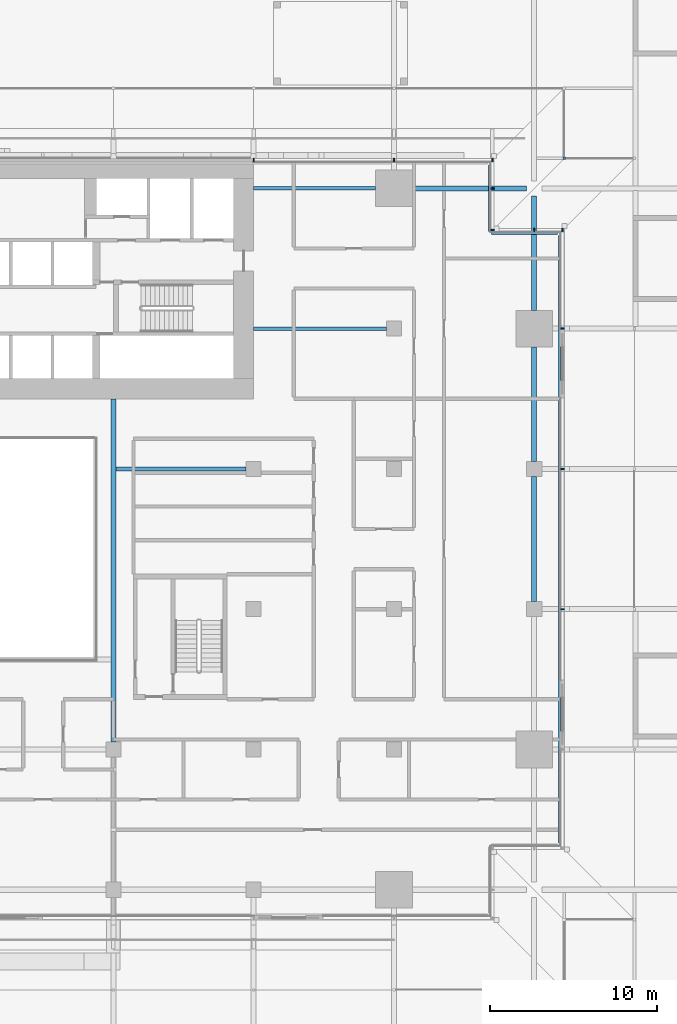
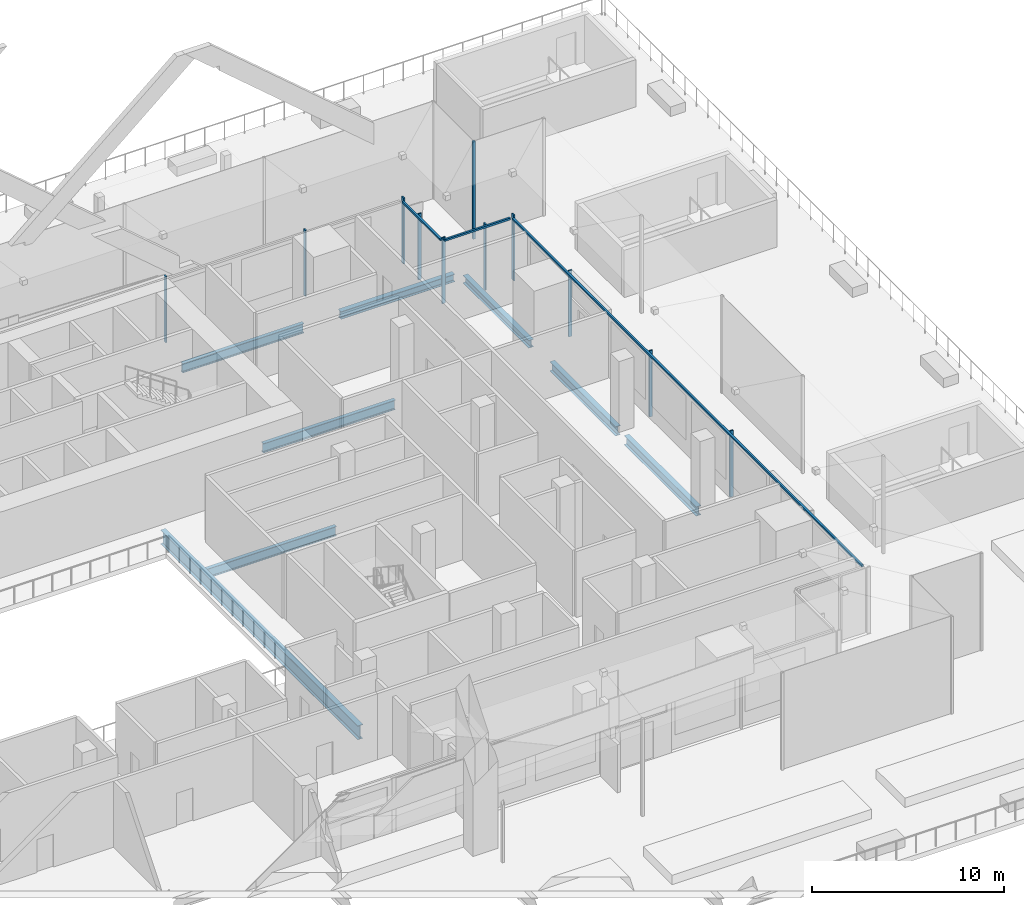
# One storey, part 12 of 60: 14 members, 8 beams, 4 elements without a shape of their own.
"""IFC4 building model written with IfcOpenShell, lengths in metres."""

from ifc_helpers import new_model, si_unit, direction, frame, origin, origin_2d, place, context, subcontext, project, spatial, rectangle, i_section, extrude, material, material_profile, profile_set, type_object, element, aggregate, save


model = new_model("IFC4")

# Units and contexts
model_context = context("Model", 3, precision=1e-05, world=origin(), true_north=direction((0.0, 1.0)))
body_context = subcontext(model_context, "Body", "Model", "MODEL_VIEW")
ifc_project = project(units=[si_unit("LENGTHUNIT", "METRE"), si_unit("AREAUNIT", "SQUARE_METRE"), si_unit("VOLUMEUNIT", "CUBIC_METRE"), si_unit("PLANEANGLEUNIT", "RADIAN"), si_unit("MASSUNIT", "GRAM", prefix="KILO")], contexts=[model_context])

# Site, building, storey
site_placement = place(None, origin())
site = spatial("IfcSite", under=ifc_project, at=site_placement, CompositionType="ELEMENT")
building_placement = place(site_placement, origin())
building = spatial("IfcBuilding", under=site, at=building_placement, Name="Saffron Gate Tower", CompositionType="ELEMENT")
storey_placement = place(building_placement, frame((0.0, 0.0, 19.199951171875)))
storey = spatial("IfcBuildingStorey", under=building, at=storey_placement, Name="L03", CompositionType="ELEMENT", Elevation=19.199951171875)

# Beams
ifc_material_1 = material(Name="Structural steel S355", Category="steel")
ifc_material_profile_1 = material_profile(ifc_material_1, i_section(OverallWidth=0.300048828125, OverallDepth=0.590087890625, WebThickness=0.012939453125, FlangeThickness=0.02490234375, FilletRadius=0.027099609375, at=origin_2d()))
ifc_profile_set_1 = profile_set([ifc_material_profile_1], Name="Structural steel S355")
beam_type_1 = type_object("IfcBeamType", Name="B14 HEA 600", PredefinedType="SPANDREL", material=ifc_profile_set_1)
beam_1_placement = place(storey_placement, frame((125.39990234375, 49.050048828125, -0.594970703125), z_axis=(0.0, 1.0, 0.0), x_axis=(-1.0, 0.0, 0.0)))
element("IfcBeam", 1, at=beam_1_placement, inside=storey, type_object=beam_type_1, Name="B14 SPANDREL BEAM", PredefinedType="SPANDREL", context=body_context, shape_type="SweptSolid", body=[
    extrude(i_section(OverallWidth=0.300048828125, OverallDepth=0.590087890625, WebThickness=0.012939453125, FlangeThickness=0.02490234375, FilletRadius=0.027099609375, at=origin_2d()), origin(), (0.0, 0.0, 1.0), 7.5),
])
beam_2_placement = place(storey_placement, frame((125.39990234375, 57.449951171875, -0.594970703125), z_axis=(0.0, 1.0, 0.0), x_axis=(-1.0, 0.0, 0.0)))
element("IfcBeam", 2, at=beam_2_placement, inside=storey, type_object=beam_type_1, Name="B14 SPANDREL BEAM", PredefinedType="SPANDREL", context=body_context, shape_type="SweptSolid", body=[
    extrude(i_section(OverallWidth=0.300048828125, OverallDepth=0.590087890625, WebThickness=0.012939453125, FlangeThickness=0.02490234375, FilletRadius=0.027099609375, at=origin_2d()), origin(), (0.0, 0.0, 1.0), 6.85009765625),
])
ifc_material_profile_2 = material_profile(ifc_material_1, i_section(OverallWidth=0.219970703125, OverallDepth=0.60009765625, WebThickness=0.011962890625, FlangeThickness=0.01904296875, FilletRadius=0.02392578125, at=origin_2d()))
ifc_profile_set_2 = profile_set([ifc_material_profile_2], Name="Structural steel S355")
beam_type_2 = type_object("IfcBeamType", Name="B15 IPE 600", PredefinedType="BEAM", material=ifc_profile_set_2)
beam_3_placement = place(storey_placement, frame((108.14990234375, 57.0, -0.599853515625), z_axis=(-1.0, 0.0, 0.0), x_axis=(0.0, -1.0, 0.0)))
element("IfcBeam", 3, at=beam_3_placement, inside=storey, type_object=beam_type_2, Name="B15 CORE TIE BEAM", PredefinedType="BEAM", context=body_context, shape_type="SweptSolid", body=[
    extrude(i_section(OverallWidth=0.219970703125, OverallDepth=0.60009765625, WebThickness=0.011962890625, FlangeThickness=0.01904296875, FilletRadius=0.02392578125, at=origin_2d()), origin(), (0.0, 0.0, 1.0), 7.7998046875),
])
beam_4_placement = place(storey_placement, frame((116.550048828125, 65.39990234375, -0.599853515625), z_axis=(-1.0, 0.0, 0.0), x_axis=(0.0, -1.0, 0.0)))
element("IfcBeam", 4, at=beam_4_placement, inside=storey, type_object=beam_type_2, Name="B15 CORE TIE BEAM", PredefinedType="BEAM", context=body_context, shape_type="SweptSolid", body=[
    extrude(i_section(OverallWidth=0.219970703125, OverallDepth=0.60009765625, WebThickness=0.011962890625, FlangeThickness=0.01904296875, FilletRadius=0.02392578125, at=origin_2d()), origin(), (0.0, 0.0, 1.0), 7.949951171875),
])
beam_5_placement = place(storey_placement, frame((115.89990234375, 73.800048828125, -0.599853515625), z_axis=(-1.0, 0.0, 0.0), x_axis=(0.0, -1.0, 0.0)))
element("IfcBeam", 5, at=beam_5_placement, inside=storey, type_object=beam_type_2, Name="B15 CORE TIE BEAM", PredefinedType="BEAM", context=body_context, shape_type="SweptSolid", body=[
    extrude(i_section(OverallWidth=0.219970703125, OverallDepth=0.60009765625, WebThickness=0.011962890625, FlangeThickness=0.01904296875, FilletRadius=0.02392578125, at=origin_2d()), origin(), (0.0, 0.0, 1.0), 7.2998046875),
])
ifc_material_profile_3 = material_profile(ifc_material_1, i_section(OverallWidth=0.300048828125, OverallDepth=0.89990234375, WebThickness=0.0185546875, FlangeThickness=0.034912109375, FilletRadius=0.030029296875, at=origin_2d()))
ifc_profile_set_3 = profile_set([ifc_material_profile_3], Name="Structural steel S355")
beam_type_3 = type_object("IfcBeamType", Name="B20 HEB 900", PredefinedType="BEAM", material=ifc_profile_set_3)
beam_6_placement = place(storey_placement, frame((100.199951171875, 40.64990234375, -0.75), z_axis=(0.0, 1.0, 0.0), x_axis=(-1.0, 0.0, 0.0)))
element("IfcBeam", 6, at=beam_6_placement, inside=storey, type_object=beam_type_3, Name="B20 ATRIUM GIRDER", PredefinedType="BEAM", context=body_context, shape_type="SweptSolid", body=[
    extrude(i_section(OverallWidth=0.300048828125, OverallDepth=0.89990234375, WebThickness=0.0185546875, FlangeThickness=0.034912109375, FilletRadius=0.030029296875, at=origin_2d()), origin(), (0.0, 0.0, 1.0), 20.550048828125),
])
ifc_material_profile_4 = material_profile(ifc_material_1, i_section(OverallWidth=0.300048828125, OverallDepth=0.489990234375, WebThickness=0.011962890625, FlangeThickness=0.02294921875, FilletRadius=0.027099609375, at=origin_2d()))
ifc_profile_set_4 = profile_set([ifc_material_profile_4], Name="Structural steel S355")
beam_type_4 = type_object("IfcBeamType", Name="B8 HEA 500", PredefinedType="BEAM", material=ifc_profile_set_4)
beam_7_placement = place(storey_placement, frame((118.10009765625, 73.800048828125, -0.544921875), z_axis=(1.0, 0.0, 0.0), x_axis=(0.0, 1.0, 0.0)))
element("IfcBeam", 7, at=beam_7_placement, inside=storey, type_object=beam_type_4, Name="B8 TERRACE BEAM", PredefinedType="BEAM", context=body_context, shape_type="SweptSolid", body=[
    extrude(i_section(OverallWidth=0.300048828125, OverallDepth=0.489990234375, WebThickness=0.011962890625, FlangeThickness=0.02294921875, FilletRadius=0.027099609375, at=origin_2d()), origin(), (0.0, 0.0, 1.0), 6.849853515625),
])
beam_8_placement = place(storey_placement, frame((125.39990234375, 66.5, -0.544921875), z_axis=(0.0, 1.0, 0.0), x_axis=(-1.0, 0.0, 0.0)))
element("IfcBeam", 8, at=beam_8_placement, inside=storey, type_object=beam_type_4, Name="B8 TERRACE BEAM", PredefinedType="BEAM", context=body_context, shape_type="SweptSolid", body=[
    extrude(i_section(OverallWidth=0.300048828125, OverallDepth=0.489990234375, WebThickness=0.011962890625, FlangeThickness=0.02294921875, FilletRadius=0.027099609375, at=origin_2d()), origin(), (0.0, 0.0, 1.0), 6.85009765625),
])

# Curtain wall, member
ifc_material_2 = material(Name="Aluminium, bronze anodised", Category="aluminium")
curtain_wall_type = type_object("IfcCurtainWallType", Name="CWS6 curtain wall tall storeys", PredefinedType="NOTDEFINED", material=ifc_material_2)
curtain_wall_1_placement = place(storey_placement, origin())
curtain_wall_1 = element("IfcCurtainWall", 9, at=curtain_wall_1_placement, inside=storey, type_object=curtain_wall_type, Name="CWS6 run 4", PredefinedType="NOTDEFINED")
ifc_material_profile_5 = material_profile(ifc_material_2, rectangle(XDim=0.1201171875, YDim=0.1201171875, at=origin_2d()))
ifc_profile_set_5 = profile_set([ifc_material_profile_5], Name="Aluminium, bronze anodised")
member_type_1 = type_object("IfcMemberType", Name="CWS6 head transom", PredefinedType="USERDEFINED", material=ifc_profile_set_5)
member_1_placement = place(storey_placement, frame((126.912109375, 34.60791015625, 4.14013671875), z_axis=(0.0, 1.0, 0.0), x_axis=(-1.0, 0.0, 0.0)))
member_1 = element("IfcMember", 10, at=member_1_placement, type_object=member_type_1, Name="CWS6 head transom", ObjectType="TRANSOM", PredefinedType="USERDEFINED", context=body_context, shape_type="SweptSolid", body=[
    extrude(rectangle(XDim=0.1201171875, YDim=0.1201171875, at=origin_2d()), origin(), (0.0, 0.0, 1.0), 36.384033203125),
])

curtain_wall_2_placement = place(storey_placement, origin())
curtain_wall_2 = element("IfcCurtainWall", 11, at=curtain_wall_2_placement, inside=storey, type_object=curtain_wall_type, Name="CWS6 run 5", PredefinedType="NOTDEFINED")
member_2_placement = place(storey_placement, frame((126.7919921875, 71.112060546875, 4.14013671875), z_axis=(-1.0, 0.0, 0.0), x_axis=(0.0, -1.0, 0.0)))
member_2 = element("IfcMember", 12, at=member_2_placement, type_object=member_type_1, Name="CWS6 head transom", ObjectType="TRANSOM", PredefinedType="USERDEFINED", context=body_context, shape_type="SweptSolid", body=[
    extrude(rectangle(XDim=0.1201171875, YDim=0.1201171875, at=origin_2d()), origin(), (0.0, 0.0, 1.0), 3.9599609375),
])

curtain_wall_3_placement = place(storey_placement, origin())
curtain_wall_3 = element("IfcCurtainWall", 13, at=curtain_wall_3_placement, inside=storey, type_object=curtain_wall_type, Name="CWS6 run 6", PredefinedType="NOTDEFINED")
member_3_placement = place(storey_placement, frame((122.7119140625, 71.23193359375, 4.14013671875), z_axis=(0.0, 1.0, 0.0), x_axis=(-1.0, 0.0, 0.0)))
member_3 = element("IfcMember", 14, at=member_3_placement, type_object=member_type_1, Name="CWS6 head transom", ObjectType="TRANSOM", PredefinedType="USERDEFINED", context=body_context, shape_type="SweptSolid", body=[
    extrude(rectangle(XDim=0.1201171875, YDim=0.1201171875, at=origin_2d()), origin(), (0.0, 0.0, 1.0), 3.9599609375),
])

# Member
ifc_material_profile_6 = material_profile(ifc_material_2, rectangle(XDim=0.199951171875, YDim=0.080078125, at=origin_2d()))
ifc_profile_set_6 = profile_set([ifc_material_profile_6], Name="Aluminium, bronze anodised")
member_type_2 = type_object("IfcMemberType", Name="CWS6 mullion 80x200", PredefinedType="MULLION", material=ifc_profile_set_6)
member_4_placement = place(storey_placement, frame((127.10009765625, 48.60009765625, 0.0), z_axis=(0.0, 0.0, 1.0), x_axis=(-1.0, 0.0, 0.0)))
member_4 = element("IfcMember", 15, at=member_4_placement, type_object=member_type_2, Name="CWS6 mullion 3", PredefinedType="MULLION", context=body_context, shape_type="SweptSolid", body=[
    extrude(rectangle(XDim=0.199951171875, YDim=0.080078125, at=origin_2d()), origin(), (0.0, 0.0, 1.0), 4.199951171875),
])

member_5_placement = place(storey_placement, frame((127.10009765625, 57.0, 0.0), z_axis=(0.0, 0.0, 1.0), x_axis=(-1.0, 0.0, 0.0)))
member_5 = element("IfcMember", 16, at=member_5_placement, type_object=member_type_2, Name="CWS6 mullion 4", PredefinedType="MULLION", context=body_context, shape_type="SweptSolid", body=[
    extrude(rectangle(XDim=0.199951171875, YDim=0.080078125, at=origin_2d()), origin(), (0.0, 0.0, 1.0), 4.199951171875),
])

member_6_placement = place(storey_placement, frame((127.10009765625, 65.39990234375, 0.0), z_axis=(0.0, 0.0, 1.0), x_axis=(-1.0, 0.0, 0.0)))
member_6 = element("IfcMember", 17, at=member_6_placement, type_object=member_type_2, Name="CWS6 mullion 5", PredefinedType="MULLION", context=body_context, shape_type="SweptSolid", body=[
    extrude(rectangle(XDim=0.199951171875, YDim=0.080078125, at=origin_2d()), origin(), (0.0, 0.0, 1.0), 4.199951171875),
])

aggregate(curtain_wall_1, [member_4, member_5, member_6, member_1])

member_7_placement = place(storey_placement, frame((127.10009765625, 71.300048828125, 0.0), z_axis=(0.0, 0.0, 1.0), x_axis=(0.0, -1.0, 0.0)))
member_7 = element("IfcMember", 18, at=member_7_placement, type_object=member_type_2, Name="CWS6 mullion 1", PredefinedType="MULLION", context=body_context, shape_type="SweptSolid", body=[
    extrude(rectangle(XDim=0.199951171875, YDim=0.080078125, at=origin_2d()), origin(), (0.0, 0.0, 1.0), 4.199951171875),
])

member_8_placement = place(storey_placement, frame((125.39990234375, 71.300048828125, 0.0), z_axis=(0.0, 0.0, 1.0), x_axis=(0.0, -1.0, 0.0)))
member_8 = element("IfcMember", 19, at=member_8_placement, type_object=member_type_2, Name="CWS6 mullion 2", PredefinedType="MULLION", context=body_context, shape_type="SweptSolid", body=[
    extrude(rectangle(XDim=0.199951171875, YDim=0.080078125, at=origin_2d()), origin(), (0.0, 0.0, 1.0), 4.199951171875),
])

aggregate(curtain_wall_2, [member_7, member_8, member_2])

member_9_placement = place(storey_placement, frame((122.89990234375, 71.300048828125, 0.0), z_axis=(0.0, 0.0, 1.0), x_axis=(-1.0, 0.0, 0.0)))
member_9 = element("IfcMember", 20, at=member_9_placement, type_object=member_type_2, Name="CWS6 mullion 1", PredefinedType="MULLION", context=body_context, shape_type="SweptSolid", body=[
    extrude(rectangle(XDim=0.199951171875, YDim=0.080078125, at=origin_2d()), origin(), (0.0, 0.0, 1.0), 4.199951171875),
])

member_10_placement = place(storey_placement, frame((122.89990234375, 73.800048828125, 0.0), z_axis=(0.0, 0.0, 1.0), x_axis=(-1.0, 0.0, 0.0)))
member_10 = element("IfcMember", 21, at=member_10_placement, type_object=member_type_2, Name="CWS6 mullion 2", PredefinedType="MULLION", context=body_context, shape_type="SweptSolid", body=[
    extrude(rectangle(XDim=0.199951171875, YDim=0.080078125, at=origin_2d()), origin(), (0.0, 0.0, 1.0), 4.199951171875),
])

aggregate(curtain_wall_3, [member_9, member_10, member_3])

# Curtain wall, members
curtain_wall_4_placement = place(storey_placement, origin())
curtain_wall_4 = element("IfcCurtainWall", 22, at=curtain_wall_4_placement, inside=storey, type_object=curtain_wall_type, Name="CWS6 run 7", PredefinedType="NOTDEFINED")
member_11_placement = place(storey_placement, frame((122.89990234375, 75.5, 0.0), z_axis=(0.0, 0.0, 1.0), x_axis=(0.0, -1.0, 0.0)))
member_11 = element("IfcMember", 23, at=member_11_placement, type_object=member_type_2, Name="CWS6 mullion 1", PredefinedType="MULLION", context=body_context, shape_type="SweptSolid", body=[
    extrude(rectangle(XDim=0.199951171875, YDim=0.080078125, at=origin_2d()), origin(), (0.0, 0.0, 1.0), 4.199951171875),
])
member_12_placement = place(storey_placement, frame((117.0, 75.5, 0.0), z_axis=(0.0, 0.0, 1.0), x_axis=(0.0, -1.0, 0.0)))
member_12 = element("IfcMember", 24, at=member_12_placement, type_object=member_type_2, Name="CWS6 mullion 2", PredefinedType="MULLION", context=body_context, shape_type="SweptSolid", body=[
    extrude(rectangle(XDim=0.199951171875, YDim=0.080078125, at=origin_2d()), origin(), (0.0, 0.0, 1.0), 4.199951171875),
])
member_13_placement = place(storey_placement, frame((108.60009765625, 75.5, 0.0), z_axis=(0.0, 0.0, 1.0), x_axis=(0.0, -1.0, 0.0)))
member_13 = element("IfcMember", 25, at=member_13_placement, type_object=member_type_2, Name="CWS6 mullion 3", PredefinedType="MULLION", context=body_context, shape_type="SweptSolid", body=[
    extrude(rectangle(XDim=0.199951171875, YDim=0.080078125, at=origin_2d()), origin(), (0.0, 0.0, 1.0), 4.199951171875),
])
aggregate(curtain_wall_4, [member_11, member_12, member_13])

# Member
ifc_material_profile_7 = material_profile(ifc_material_1, rectangle(XDim=0.139892578125, YDim=0.139892578125, at=origin_2d()))
ifc_profile_set_7 = profile_set([ifc_material_profile_7], Name="Structural steel S355")
member_type_3 = type_object("IfcMemberType", Name="HL1 hall post", PredefinedType="POST", material=ifc_profile_set_7)
member_14_placement = place(storey_placement, frame((127.199951171875, 75.60009765625, 0.0), z_axis=(0.0, 0.0, 1.0), x_axis=(1.0, 0.0, 0.0)))
element("IfcMember", 26, at=member_14_placement, inside=storey, type_object=member_type_3, Name="HALL POST", PredefinedType="POST", context=body_context, shape_type="SweptSolid", body=[
    extrude(rectangle(XDim=0.139892578125, YDim=0.139892578125, at=origin_2d()), origin(), (0.0, 0.0, 1.0), 6.18994140625),
])

save(model, "model.ifc")
